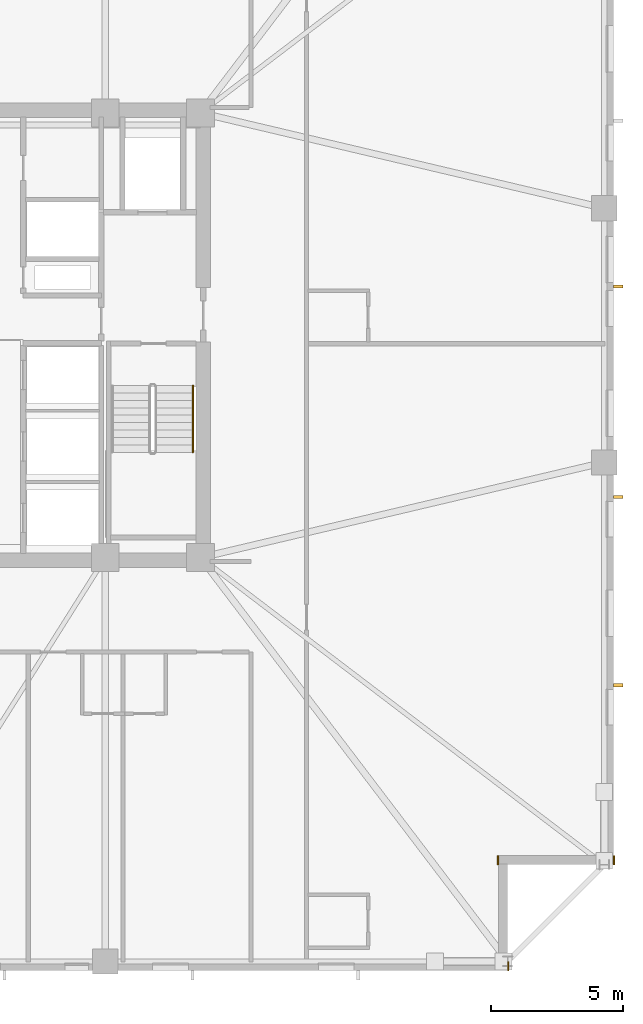
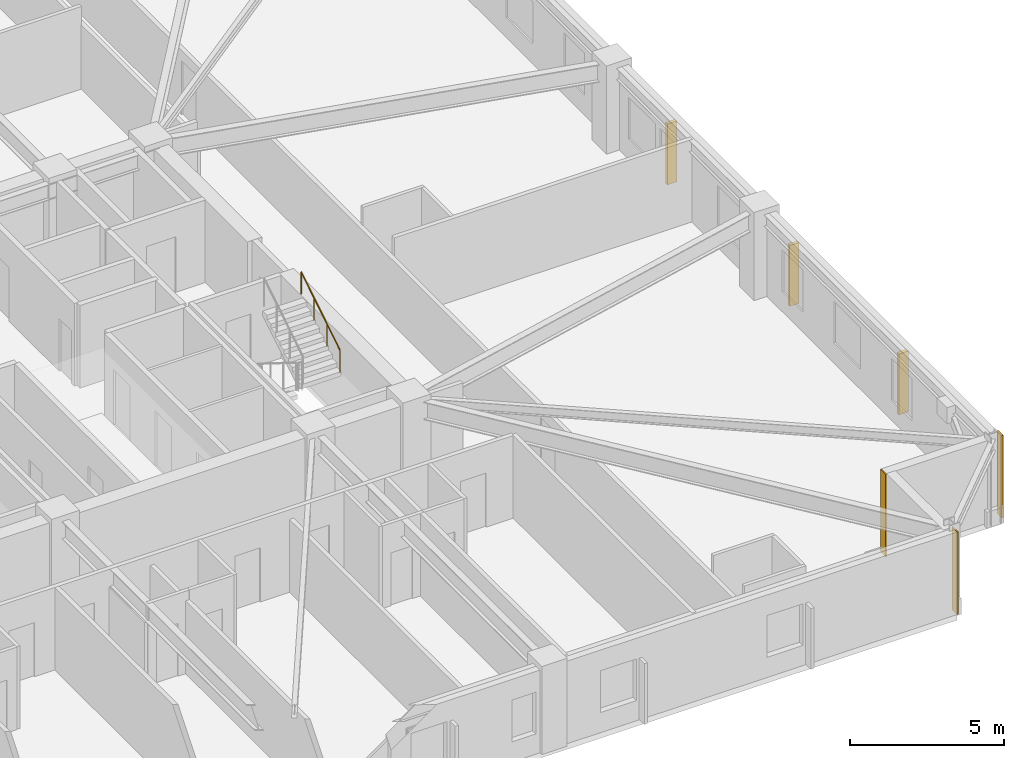
# One storey, part 9 of 11: 3 coverings, 3 shading devices, 1 railing.
"""IFC4 building model written with IfcOpenShell, lengths in metres."""

from ifc_helpers import new_model, si_unit, direction, frame, frame_2d, origin, origin_2d, place, context, subcontext, project, spatial, rectangle, circle, extrude, material, layer, layer_set, type_object, element, save


model = new_model("IFC4")

# Units and contexts
model_context = context("Model", 3, precision=1e-05, world=origin(), true_north=direction((0.0, 1.0)))
body_context = subcontext(model_context, "Body", "Model", "MODEL_VIEW")
ifc_project = project(units=[si_unit("LENGTHUNIT", "METRE"), si_unit("AREAUNIT", "SQUARE_METRE"), si_unit("VOLUMEUNIT", "CUBIC_METRE"), si_unit("PLANEANGLEUNIT", "RADIAN"), si_unit("MASSUNIT", "GRAM", prefix="KILO")], contexts=[model_context])

# Site, building, storey
site_placement = place(None, origin())
site = spatial("IfcSite", under=ifc_project, at=site_placement, CompositionType="ELEMENT")
building_placement = place(site_placement, origin())
building = spatial("IfcBuilding", under=site, at=building_placement, Name="Cairnveth Concourse Tower", CompositionType="ELEMENT")
storey_placement = place(building_placement, frame((0.0, 0.0, 120.0)))
storey = spatial("IfcBuildingStorey", under=building, at=storey_placement, Name="L32", CompositionType="ELEMENT", Elevation=120.0)

# Coverings
ifc_material_1 = material(Name="Dressed Melbourne Bluestone Cladding", Category="masonry")
ifc_layer = layer(ifc_material_1, 0.050048828125)
ifc_layer_set = layer_set([ifc_layer], Name="Dressed Melbourne Bluestone Cladding")
covering_type = type_object("IfcCoveringType", Name="DRESSED BLUESTONE PLINTH CLADDING 50", PredefinedType="CLADDING", material=ifc_layer_set)
for number, where, z_axis, x_axis, name in (
    (1, (76.02001953125, 19.340087890625, 0.0), (0.0, 0.0, 1.0), (0.0, -1.0, 0.0), "Melbourne Bluestone Corner Quoin L32-458"),
    (2, (71.639892578125, 19.340087890625, 0.0), (0.0, 0.0, 1.0), (0.0, -1.0, 0.0), "Melbourne Bluestone Corner Quoin L32-459"),
    (3, (72.02001953125, 15.340087890625, 0.0), (0.0, 0.0, 1.0), (0.0, -1.0, 0.0), "Melbourne Bluestone Corner Quoin L32-460"),
):
    element("IfcCovering", number, at=place(storey_placement, frame(where, z_axis=z_axis, x_axis=x_axis)), inside=storey, type_object=covering_type, Name=name, PredefinedType="CLADDING", context=body_context, shape_type="SweptSolid", body=[
        extrude(rectangle(XDim=0.340087890625, YDim=0.050048828125, at=frame_2d((0.169921875, 0.0))), origin(), (0.0, 0.0, 1.0), 3.280029296875),
    ])

# Shading devices
ifc_material_2 = material(Name="Architectural Bronze Anodised Aluminium 6063-T6", Category="aluminium")
shading_device_type = type_object("IfcShadingDeviceType", Name="GOTHIC BRONZE VERTICAL LANCET FIN", PredefinedType="USERDEFINED", material=ifc_material_2)
for number, where, z_axis, x_axis, name in (
    (4, (76.175048828125, 40.843994140625, 0.030029296875), (0.0, 0.0, 1.0), (0.0, 1.0, 0.0), "Gothic Bronze Vertical Fin L32-6-5"),
    (5, (76.175048828125, 32.886962890625, 0.030029296875), (0.0, 0.0, 1.0), (0.0, 1.0, 0.0), "Gothic Bronze Vertical Fin L32-6-7"),
    (6, (76.175048828125, 25.77978515625, 0.030029296875), (0.0, 0.0, 1.0), (0.0, 1.0, 0.0), "Gothic Bronze Vertical Fin L32-6-9"),
):
    element("IfcShadingDevice", number, at=place(storey_placement, frame(where, z_axis=z_axis, x_axis=x_axis)), inside=storey, type_object=shading_device_type, Name=name, ObjectType="VERTICAL FIN", PredefinedType="USERDEFINED", context=body_context, shape_type="SweptSolid", body=[
        extrude(rectangle(XDim=0.1201171875, YDim=0.360107421875, at=origin_2d()), origin(), (0.0, 0.0, 1.0), 2.419921875),
    ])

# Railing
ifc_material_3 = material(Name="Steel Grade 350", Category="steel")
railing_type = type_object("IfcRailingType", Name="STAIR WALL HANDRAIL 900", PredefinedType="HANDRAIL", material=ifc_material_3)
railing_placement = place(storey_placement, frame((60.110107421875, 34.580078125, 1.925048828125)))
element("IfcRailing", 7, at=railing_placement, inside=storey, type_object=railing_type, Name="L32 ST-2 stair handrail 2", PredefinedType="HANDRAIL", context=body_context, shape_type="SweptSolid", body=[
    extrude(circle(Radius=0.02392578125, at=origin_2d()), frame((0.0, 0.0, 0.8759765625), z_axis=(0.0, 0.848007534815, 0.529984170421), x_axis=(-1.0, 0.0, 0.0)), (0.0, 0.0, 1.0), 2.9716796875),
    extrude(circle(Radius=0.02099609375, at=origin_2d()), origin(), (0.0, 0.0, 1.0), 0.851806640625),
    extrude(circle(Radius=0.02099609375, at=origin_2d()), frame((0.0, 0.840087890625, 0.52490234375)), (0.0, 0.0, 1.0), 0.851806640625),
    extrude(circle(Radius=0.02099609375, at=origin_2d()), frame((0.0, 1.679931640625, 1.050048828125)), (0.0, 0.0, 1.0), 0.851806640625),
    extrude(circle(Radius=0.02099609375, at=origin_2d()), frame((0.0, 2.52001953125, 1.574951171875)), (0.0, 0.0, 1.0), 0.851806640625),
])

save(model, "model.ifc")
